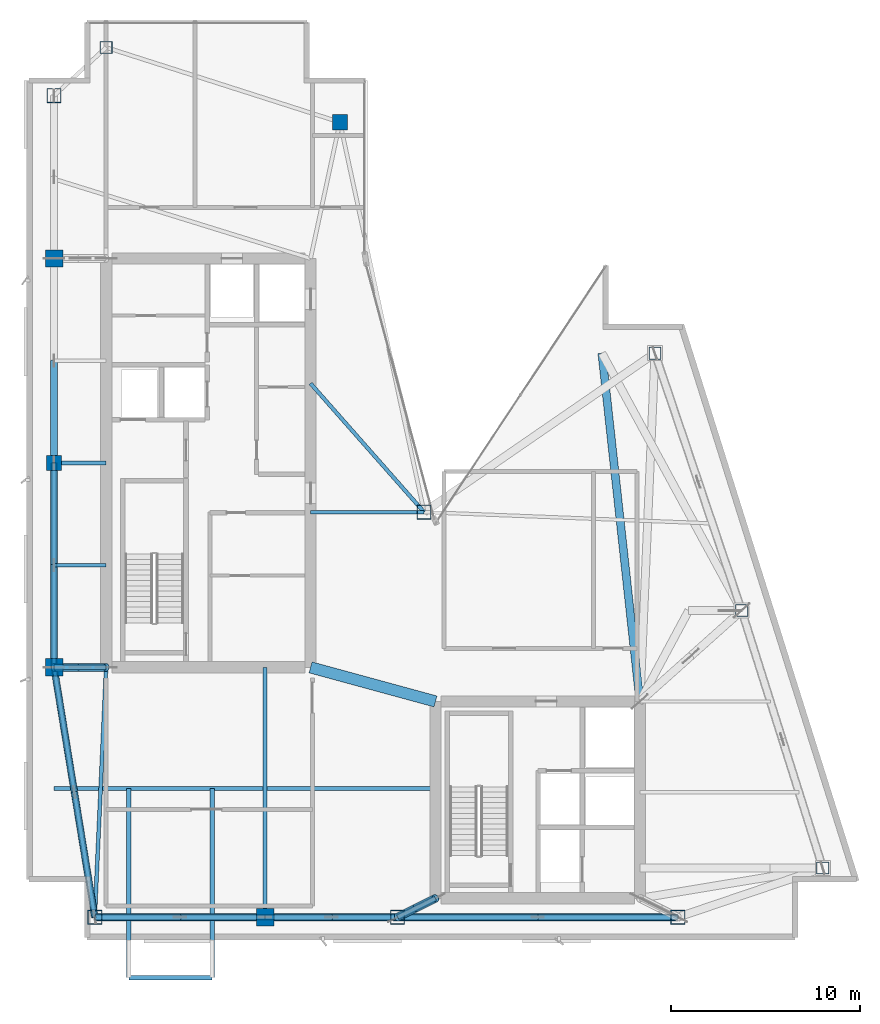
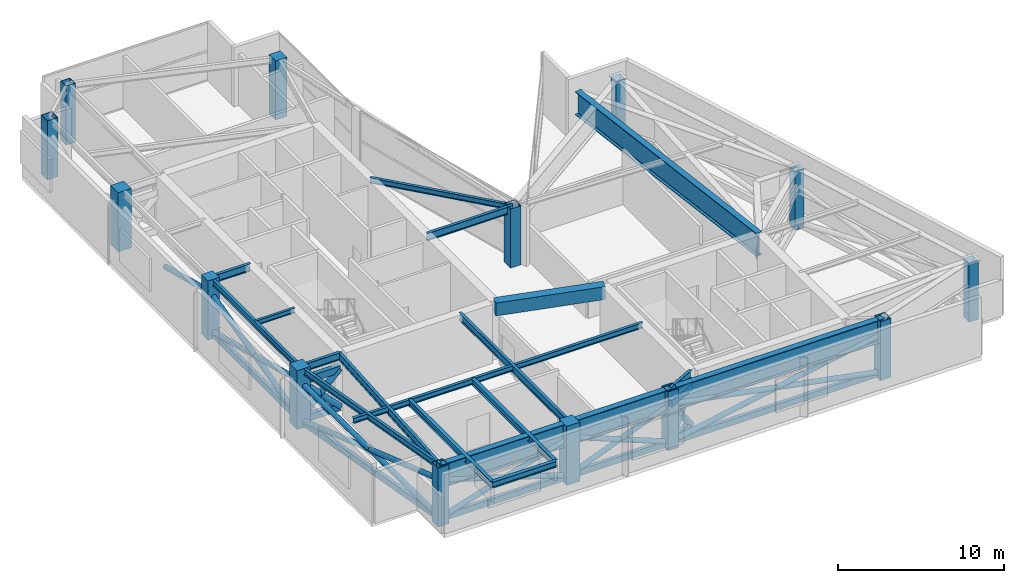
# One storey, part 1 of 15: 31 members, 19 beams, 14 columns.
"""IFC4 building model written with IfcOpenShell, lengths in metres."""

import ifcopenshell
import ifcopenshell.guid

model = None  # the IFC model being written
_history = None  # IfcOwnerHistory: only IFC2X3 demands one
_inside = {}  # id of a spatial element -> (the spatial element, [elements in it])
_under = {}  # id of a project, library or spatial element -> (it, [spatial elements below it])
_declared = {}  # id of a project -> (the project, [libraries it declares])
_typed = {}  # id of a type object -> (the type object, [elements of that type])
_made_of = {}  # id of a material, layer set ... -> (it, [elements and type objects made of it])


def new_model(schema):
    """Start an empty IFC model of exactly this schema.

    Asked for "IFC4X3", IfcOpenShell would pick the latest addendum, in which some entities
    have other attributes; the version numbers below select the first issue.
    IFC2X3 requires an IfcOwnerHistory on every rooted entity: one is made here for all.
    """
    global model, _history
    if schema == "IFC4X3":
        model = ifcopenshell.file(schema_version=(4, 3, 0, 0))
    else:
        model = ifcopenshell.file(schema=schema)
    _inside.clear()
    _under.clear()
    _declared.clear()
    _typed.clear()
    _made_of.clear()
    _history = None
    if model.schema == "IFC2X3":
        org = make("IfcOrganization", Name="unknown")
        user = make(
            "IfcPersonAndOrganization",
            ThePerson=make("IfcPerson", FamilyName="unknown"),
            TheOrganization=org,
        )
        app = make(
            "IfcApplication",
            ApplicationDeveloper=org,
            Version="unknown",
            ApplicationFullName="unknown",
            ApplicationIdentifier="unknown",
        )
        _history = make(
            "IfcOwnerHistory",
            OwningUser=user,
            OwningApplication=app,
            ChangeAction="ADDED",
            CreationDate=0,
        )
    return model


def make(cls, **values):
    """One entity of the class cls with the attributes given. An attribute that is None is left unset."""
    return model.create_entity(
        cls, **{name: value for name, value in values.items() if value is not None}
    )


def rooted(cls, **values):
    """An entity with a GlobalId (a new one), such as an element, a storey or a relation."""
    return make(cls, GlobalId=ifcopenshell.guid.new(), OwnerHistory=_history, **values)


def si_unit(unit_type, name, prefix=None):
    """IfcSIUnit, for example si_unit("LENGTHUNIT", "METRE", prefix="MILLI")."""
    return make("IfcSIUnit", UnitType=unit_type, Prefix=prefix, Name=name)


def assignment(units):
    """IfcUnitAssignment: the units of a project."""
    return None if units is None else make("IfcUnitAssignment", Units=units)


def point(xyz):
    """IfcCartesianPoint."""
    return None if xyz is None else make("IfcCartesianPoint", Coordinates=xyz)


def direction(xyz):
    """IfcDirection."""
    return None if xyz is None else make("IfcDirection", DirectionRatios=xyz)


def frame(location, z_axis=None, x_axis=None):
    """IfcAxis2Placement3D, a coordinate frame: its origin and axes. An axis left out is left unset."""
    return make(
        "IfcAxis2Placement3D",
        Location=point(location),
        Axis=direction(z_axis),
        RefDirection=direction(x_axis),
    )


def frame_2d(location, x_axis=None):
    """IfcAxis2Placement2D, a coordinate frame in the plane: its origin and x axis."""
    return make(
        "IfcAxis2Placement2D", Location=point(location), RefDirection=direction(x_axis)
    )


def origin():
    """The frame at (0, 0, 0) with its axes left unset."""
    return frame((0.0, 0.0, 0.0))


def origin_2d():
    """The frame at (0, 0) in the plane with its x axis left unset."""
    return frame_2d((0.0, 0.0))


def place(relative_to, where):
    """IfcLocalPlacement: puts the frame where relative to a parent placement (None: the world)."""
    return make(
        "IfcLocalPlacement", PlacementRelTo=relative_to, RelativePlacement=where
    )


def context(
    kind, dimensions, precision=None, world=None, true_north=None, identifier=None
):
    """IfcGeometricRepresentationContext, for example the 3D "Model" context."""
    return make(
        "IfcGeometricRepresentationContext",
        ContextIdentifier=identifier,
        ContextType=kind,
        CoordinateSpaceDimension=dimensions,
        Precision=precision,
        WorldCoordinateSystem=world,
        TrueNorth=true_north,
    )


def subcontext(parent, identifier, kind, view, scale=None):
    """IfcGeometricRepresentationSubContext, for example "Body" below "Model"."""
    return make(
        "IfcGeometricRepresentationSubContext",
        ContextIdentifier=identifier,
        ContextType=kind,
        ParentContext=parent,
        TargetScale=scale,
        TargetView=view,
    )


def project(units=None, contexts=None):
    """IfcProject with its units and contexts."""
    return rooted(
        "IfcProject",
        Name="project",
        RepresentationContexts=contexts,
        UnitsInContext=assignment(units),
    )


def spatial(cls, under=None, at=None, **own):
    """A site, building, storey or space (cls), placed at a placement, below another one or the project."""
    s = rooted(cls, ObjectPlacement=at, **own)
    if under is not None:
        _under.setdefault(under.id(), (under, []))[1].append(s)
    return s


def profile(cls, at=None, kind="AREA", **sizes):
    """A parametric profile (cls). Its sizes go by their IFC names, for example OverallWidth=200.0."""
    return make(cls, ProfileType=kind, Position=at, **sizes)


def rectangle(**sizes):
    """IfcRectangleProfileDef."""
    return profile("IfcRectangleProfileDef", **sizes)


def hollow_rectangle(**sizes):
    """IfcRectangleHollowProfileDef."""
    return profile("IfcRectangleHollowProfileDef", **sizes)


def hollow_circle(**sizes):
    """IfcCircleHollowProfileDef."""
    return profile("IfcCircleHollowProfileDef", **sizes)


def i_section(**sizes):
    """IfcIShapeProfileDef."""
    return profile("IfcIShapeProfileDef", **sizes)


def extrude(swept, where, along, depth):
    """IfcExtrudedAreaSolid: the profile swept, set in the frame where, extruded along a direction by depth."""
    return make(
        "IfcExtrudedAreaSolid",
        SweptArea=swept,
        Position=where,
        ExtrudedDirection=direction(along),
        Depth=depth,
    )


def shape(context_of_items, identifier, shape_type, items):
    """IfcShapeRepresentation: the items that make up one representation, for example the "Body"."""
    return make(
        "IfcShapeRepresentation",
        ContextOfItems=context_of_items,
        RepresentationIdentifier=identifier,
        RepresentationType=shape_type,
        Items=items,
    )


def material(Name=None, Category=None):
    """IfcMaterial."""
    return make("IfcMaterial", Name=Name, Category=Category)


def material_profile(
    of_material, cross_section, Name=None, Category=None, Priority=None
):
    """IfcMaterialProfile: a cross section and its material."""
    return make(
        "IfcMaterialProfile",
        Name=Name,
        Material=of_material,
        Profile=cross_section,
        Priority=Priority,
        Category=Category,
    )


def profile_set(profiles, Name=None, composite=None):
    """IfcMaterialProfileSet."""
    return make(
        "IfcMaterialProfileSet",
        Name=Name,
        MaterialProfiles=profiles,
        CompositeProfile=composite,
    )


def made_of(thing, what):
    """Note that an element or type object is made of a material, layer set ...; save() writes the relation."""
    if what is not None:
        _made_of.setdefault(what.id(), (what, []))[1].append(thing)
    return thing


def type_object(cls, material=None, **own):
    """A type object (cls), such as IfcWallType, which elements share."""
    return made_of(rooted(cls, **own), material)


def element(
    cls,
    number,
    at=None,
    inside=None,
    cuts=None,
    type_object=None,
    material=None,
    context=None,
    identifier="Body",
    shape_type=None,
    held_by="IfcProductDefinitionShape",
    body=None,
    shapes=None,
    **own,
):
    """One element of the class cls, such as IfcWall. Its Tag is "e" and its number.

    at: its placement. inside: the storey or other place that contains it. cuts: it is an
    opening in that element (IfcRelVoidsElement). A single representation is given by context,
    identifier, shape_type and body (its items); several are given by shapes. held_by: the class
    of the entity that holds the representations. save() writes the other relations.
    """
    e = rooted(cls, Tag="e%d" % number, ObjectPlacement=at, **own)
    if body is not None:
        shapes = [shape(context, identifier, shape_type, body)]
    if shapes is not None:
        e.Representation = make(held_by, Representations=shapes)
    if inside is not None:
        _inside.setdefault(inside.id(), (inside, []))[1].append(e)
    if cuts is not None:
        rooted(
            "IfcRelVoidsElement", RelatingBuildingElement=cuts, RelatedOpeningElement=e
        )
    if type_object is not None:
        _typed.setdefault(type_object.id(), (type_object, []))[1].append(e)
    return made_of(e, material)


def aggregate(whole, parts):
    """IfcRelAggregates: a whole, such as a stair, and the parts it consists of."""
    return rooted("IfcRelAggregates", RelatingObject=whole, RelatedObjects=parts)


def save(model, path):
    """Write the relations noted so far, then the file.

    IfcRelAggregates (storeys below a building ...), IfcRelContainedInSpatialStructure (elements
    in a storey), IfcRelDefinesByType, IfcRelAssociatesMaterial and IfcRelDeclares: one each for
    every whole, place, type object, material and project.
    """
    for whole, parts in _under.values():
        aggregate(whole, parts)
    for where, things in _inside.values():
        rooted(
            "IfcRelContainedInSpatialStructure",
            RelatedElements=things,
            RelatingStructure=where,
        )
    for kind, things in _typed.values():
        rooted("IfcRelDefinesByType", RelatedObjects=things, RelatingType=kind)
    for what, things in _made_of.values():
        rooted("IfcRelAssociatesMaterial", RelatedObjects=things, RelatingMaterial=what)
    for by, libraries in _declared.values():
        rooted("IfcRelDeclares", RelatingContext=by, RelatedDefinitions=libraries)
    model.write(path)


model = new_model("IFC4")

# Units and contexts
model_context = context("Model", 3, precision=1e-05, world=origin(), true_north=direction((0.0, 1.0)))
body_context = subcontext(model_context, "Body", "Model", "MODEL_VIEW")
ifc_project = project(units=[si_unit("LENGTHUNIT", "METRE"), si_unit("AREAUNIT", "SQUARE_METRE"), si_unit("VOLUMEUNIT", "CUBIC_METRE"), si_unit("PLANEANGLEUNIT", "RADIAN"), si_unit("MASSUNIT", "GRAM", prefix="KILO")], contexts=[model_context])

# Site, building, storey
site_placement = place(None, origin())
site = spatial("IfcSite", under=ifc_project, at=site_placement, CompositionType="ELEMENT")
building_placement = place(site_placement, origin())
building = spatial("IfcBuilding", under=site, at=building_placement, Name="Calvorn Quay Hotel", CompositionType="ELEMENT")
storey_placement = place(building_placement, frame((0.0, 0.0, 282.5)))
storey = spatial("IfcBuildingStorey", under=building, at=storey_placement, Name="L70", CompositionType="ELEMENT", Elevation=282.5)

# Columns
ifc_material_1 = material(Name="Concrete C45", Category="concrete")
ifc_material_profile_1 = material_profile(ifc_material_1, rectangle(XDim=0.800048828125, YDim=0.800048828125, at=origin_2d()), Name="RC800x800")
ifc_profile_set_1 = profile_set([ifc_material_profile_1], Name="Concrete C45")
column_type_1 = type_object("IfcColumnType", Name="COL-RC-800", PredefinedType="COLUMN", material=ifc_profile_set_1)
for number, where, z_axis, x_axis, name in (
    (1, (1.449951171875, 27.60009765625, 0.0), (0.0, 0.0, 1.0), (1.0, 0.0, 0.0), "Column C-W3 (L70)"),
    (2, (16.550048828125, 45.60009765625, 0.0), (0.0, 0.0, 1.0), (1.0, 0.0, 0.0), "Column C-IC1 (L70)"),
):
    element("IfcColumn", number, at=place(storey_placement, frame(where, z_axis=z_axis, x_axis=x_axis)), inside=storey, type_object=column_type_1, Name=name, PredefinedType="COLUMN", context=body_context, shape_type="SweptSolid", body=[
        extrude(rectangle(XDim=0.800048828125, YDim=0.800048828125, at=origin_2d()), origin(), (0.0, 0.0, 1.0), 4.35009765625),
    ])
ifc_material_2 = material(Name="Concrete C45", Category="concrete")
ifc_material_profile_2 = material_profile(ifc_material_2, rectangle(XDim=0.919921875, YDim=0.919921875, at=origin_2d()), Name="RC920x920")
ifc_profile_set_2 = profile_set([ifc_material_profile_2], Name="Concrete C45")
column_type_2 = type_object("IfcColumnType", Name="COL-RC-920", PredefinedType="COLUMN", material=ifc_profile_set_2)
for number, where, z_axis, x_axis, name in (
    (3, (1.449951171875, 16.800048828125, 0.0), (0.0, 0.0, 1.0), (1.0, 0.0, 0.0), "Column C-W2 (L70)"),
    (4, (1.449951171875, 38.39990234375, 0.0), (0.0, 0.0, 1.0), (1.0, 0.0, 0.0), "Column C-W4 (L70)"),
    (5, (12.60009765625, 3.60009765625, 0.0), (0.0, 0.0, 1.0), (1.0, 0.0, 0.0), "Column C-S1 (L70)"),
):
    element("IfcColumn", number, at=place(storey_placement, frame(where, z_axis=z_axis, x_axis=x_axis)), inside=storey, type_object=column_type_2, Name=name, PredefinedType="COLUMN", context=body_context, shape_type="SweptSolid", body=[
        extrude(rectangle(XDim=0.919921875, YDim=0.919921875, at=origin_2d()), origin(), (0.0, 0.0, 1.0), 4.35009765625),
    ])
ifc_material_3 = material(Name="Steel Q390GJC", Category="steel")
ifc_material_profile_3 = material_profile(ifc_material_3, hollow_rectangle(XDim=0.75, YDim=0.75, WallThickness=0.031982421875, at=origin_2d()), Name="BOX750x750x32")
ifc_profile_set_3 = profile_set([ifc_material_profile_3], Name="Steel Q390GJC")
column_type_3 = type_object("IfcColumnType", Name="COL-STL-Z3", PredefinedType="COLUMN", material=ifc_profile_set_3)
for number, where, z_axis, x_axis, name in (
    (6, (3.60009765625, 3.60009765625, 0.0), (0.0, 0.0, 1.0), (1.0, 0.0, 0.0), "Column C-W1 (L70)"),
    (7, (1.449951171875, 47.0, 0.0), (0.0, 0.0, 1.0), (1.0, 0.0, 0.0), "Column C-W5 (L70)"),
    (8, (21.0, 25.0, 0.0), (0.0, 0.0, 1.0), (1.0, 0.0, 0.0), "Column C-IC2 (L70)"),
    (9, (19.60009765625, 3.60009765625, 0.0), (0.0, 0.0, 1.0), (1.0, 0.0, 0.0), "Column C-S2 (L70)"),
    (10, (34.39990234375, 3.60009765625, 0.0), (0.0, 0.0, 1.0), (1.0, 0.0, 0.0), "Column C-S3 (L70)"),
):
    element("IfcColumn", number, at=place(storey_placement, frame(where, z_axis=z_axis, x_axis=x_axis)), inside=storey, type_object=column_type_3, Name=name, PredefinedType="COLUMN", context=body_context, shape_type="SweptSolid", body=[
        extrude(hollow_rectangle(XDim=0.75, YDim=0.75, WallThickness=0.031982421875, at=origin_2d()), origin(), (0.0, 0.0, 1.0), 4.35009765625),
    ])
ifc_material_4 = material(Name="Steel Q355B", Category="steel")
ifc_material_profile_4 = material_profile(ifc_material_4, hollow_rectangle(XDim=0.64990234375, YDim=0.64990234375, WallThickness=0.028076171875, at=origin_2d()), Name="BOX650x650x28")
ifc_profile_set_4 = profile_set([ifc_material_profile_4], Name="Steel Q355B")
column_type_4 = type_object("IfcColumnType", Name="COL-STL-Z4", PredefinedType="COLUMN", material=ifc_profile_set_4)
for number, where, z_axis, x_axis, name in (
    (11, (4.199951171875, 49.550048828125, 0.0), (0.0, 0.0, 1.0), (1.0, 0.0, 0.0), "Column C-NW1 (L70)"),
    (12, (42.06103515625, 6.199951171875, 0.0), (0.0, 0.0, 1.0), (1.0, 0.0, 0.0), "Column C-ET1 (L70)"),
    (13, (37.77587890625, 19.800048828125, 0.0), (0.0, 0.0, 1.0), (1.0, 0.0, 0.0), "Column C-ET2 (L70)"),
    (14, (33.19091796875, 33.39990234375, 0.0), (0.0, 0.0, 1.0), (1.0, 0.0, 0.0), "Column C-ET3 (L70)"),
):
    element("IfcColumn", number, at=place(storey_placement, frame(where, z_axis=z_axis, x_axis=x_axis)), inside=storey, type_object=column_type_4, Name=name, PredefinedType="COLUMN", context=body_context, shape_type="SweptSolid", body=[
        extrude(hollow_rectangle(XDim=0.64990234375, YDim=0.64990234375, WallThickness=0.028076171875, at=origin_2d()), origin(), (0.0, 0.0, 1.0), 4.35009765625),
    ])

# Beams
ifc_material_5 = material(Name="Steel Q355B", Category="steel")
ifc_material_profile_5 = material_profile(ifc_material_5, i_section(OverallWidth=0.25, OverallDepth=0.449951171875, WebThickness=0.011962890625, FlangeThickness=0.01611328125, FilletRadius=0.01611328125, at=origin_2d()), Name="HN450x250x12x16")
ifc_profile_set_5 = profile_set([ifc_material_profile_5], Name="Steel Q355B")
beam_type_1 = type_object("IfcBeamType", Name="BM-CANT-BALC", PredefinedType="BEAM", material=ifc_profile_set_5)
for number, where, z_axis, x_axis, name in (
    (15, (5.39990234375, 10.39990234375, 4.125), (0.0, -1.0, 0.0), (1.0, 0.0, 0.0), "Cantilever Balcony Beam BCB-L71-1A"),
    (16, (9.800048828125, 10.39990234375, 4.125), (0.0, -1.0, 0.0), (1.0, 0.0, 0.0), "Cantilever Balcony Beam BCB-L71-1B"),
):
    element("IfcBeam", number, at=place(storey_placement, frame(where, z_axis=z_axis, x_axis=x_axis)), inside=storey, type_object=beam_type_1, Name=name, PredefinedType="BEAM", context=body_context, shape_type="SweptSolid", body=[
        extrude(i_section(OverallWidth=0.25, OverallDepth=0.449951171875, WebThickness=0.011962890625, FlangeThickness=0.01611328125, FilletRadius=0.01611328125, at=origin_2d()), origin(), (0.0, 0.0, 1.0), 9.989990234375),
    ])
beam_1_placement = place(storey_placement, frame((5.39990234375, 0.409912109375, 4.125), z_axis=(1.0, 0.0, 0.0), x_axis=(0.0, 1.0, 0.0)))
element("IfcBeam", 17, at=beam_1_placement, inside=storey, type_object=beam_type_1, Name="Beam BCBO-L71-1", PredefinedType="BEAM", context=body_context, shape_type="SweptSolid", body=[
    extrude(i_section(OverallWidth=0.25, OverallDepth=0.449951171875, WebThickness=0.011962890625, FlangeThickness=0.01611328125, FilletRadius=0.01611328125, at=origin_2d()), origin(), (0.0, 0.0, 1.0), 4.400146484375),
])
ifc_material_6 = material(Name="Steel Q355B", Category="steel")
ifc_material_profile_6 = material_profile(ifc_material_6, i_section(OverallWidth=0.199951171875, OverallDepth=0.550048828125, WebThickness=0.010009765625, FlangeThickness=0.01611328125, FilletRadius=0.01806640625, at=origin_2d()), Name="HN550x200x10x16")
ifc_profile_set_6 = profile_set([ifc_material_profile_6], Name="Steel Q355B")
beam_type_2 = type_object("IfcBeamType", Name="BM-GIRD-UPP", PredefinedType="BEAM", material=ifc_profile_set_6)
beam_2_placement = place(storey_placement, frame((3.60009765625, 3.60009765625, 4.074951171875), z_axis=(0.045396765494, 0.998969035397, 0.0), x_axis=(-0.998969035397, 0.045396765494, 0.0)))
element("IfcBeam", 18, at=beam_2_placement, inside=storey, type_object=beam_type_2, Name="Beam BG-L70-W0", PredefinedType="BEAM", context=body_context, shape_type="SweptSolid", body=[
    extrude(i_section(OverallWidth=0.199951171875, OverallDepth=0.550048828125, WebThickness=0.010009765625, FlangeThickness=0.01611328125, FilletRadius=0.01806640625, at=origin_2d()), origin(), (0.0, 0.0, 1.0), 13.213623046875),
])
for number, where, z_axis, x_axis, name in (
    (19, (1.449951171875, 16.800048828125, 4.074951171875), (1.0, 0.0, 0.0), (0.0, 1.0, 0.0), "Beam BG-L70-W1"),
    (20, (1.449951171875, 27.60009765625, 4.074951171875), (1.0, 0.0, 0.0), (0.0, 1.0, 0.0), "Beam BG-L70-W2"),
):
    element("IfcBeam", number, at=place(storey_placement, frame(where, z_axis=z_axis, x_axis=x_axis)), inside=storey, type_object=beam_type_2, Name=name, PredefinedType="BEAM", context=body_context, shape_type="SweptSolid", body=[
        extrude(i_section(OverallWidth=0.199951171875, OverallDepth=0.550048828125, WebThickness=0.010009765625, FlangeThickness=0.01611328125, FilletRadius=0.01806640625, at=origin_2d()), origin(), (0.0, 0.0, 1.0), 2.75),
    ])
beam_3_placement = place(storey_placement, frame((21.0, 25.0, 4.074951171875), z_axis=(-1.0, 0.0, 0.0), x_axis=(0.0, -1.0, 0.0)))
element("IfcBeam", 21, at=beam_3_placement, inside=storey, type_object=beam_type_2, Name="Beam BG-L70-W7", PredefinedType="BEAM", context=body_context, shape_type="SweptSolid", body=[
    extrude(i_section(OverallWidth=0.199951171875, OverallDepth=0.550048828125, WebThickness=0.010009765625, FlangeThickness=0.01611328125, FilletRadius=0.01806640625, at=origin_2d()), origin(), (0.0, 0.0, 1.0), 6.0),
])
beam_4_placement = place(storey_placement, frame((12.60009765625, 3.60009765625, 4.074951171875), z_axis=(0.0, 1.0, 0.0), x_axis=(-1.0, 0.0, 0.0)))
element("IfcBeam", 22, at=beam_4_placement, inside=storey, type_object=beam_type_2, Name="Beam BG-L70-S1", PredefinedType="BEAM", context=body_context, shape_type="SweptSolid", body=[
    extrude(i_section(OverallWidth=0.199951171875, OverallDepth=0.550048828125, WebThickness=0.010009765625, FlangeThickness=0.01611328125, FilletRadius=0.01806640625, at=origin_2d()), origin(), (0.0, 0.0, 1.0), 13.199951171875),
])
beam_5_placement = place(storey_placement, frame((19.60009765625, 3.60009765625, 4.074951171875), z_axis=(0.894427191, 0.4472135955, 0.0), x_axis=(-0.4472135955, 0.894427191, 0.0)))
element("IfcBeam", 23, at=beam_5_placement, inside=storey, type_object=beam_type_2, Name="Beam BG-L70-S2", PredefinedType="BEAM", context=body_context, shape_type="SweptSolid", body=[
    extrude(i_section(OverallWidth=0.199951171875, OverallDepth=0.550048828125, WebThickness=0.010009765625, FlangeThickness=0.01611328125, FilletRadius=0.01806640625, at=origin_2d()), origin(), (0.0, 0.0, 1.0), 2.236083984375),
])
ifc_material_7 = material(Name="Steel Q355B", Category="steel")
ifc_material_profile_7 = material_profile(ifc_material_7, i_section(OverallWidth=0.175048828125, OverallDepth=0.35009765625, WebThickness=0.007080078125, FlangeThickness=0.010986328125, FilletRadius=0.013916015625, at=origin_2d()), Name="HN350x175x7x11")
ifc_profile_set_7 = profile_set([ifc_material_profile_7], Name="Steel Q355B")
beam_type_3 = type_object("IfcBeamType", Name="BM-JOIST-SEC", PredefinedType="JOIST", material=ifc_profile_set_7)
beam_6_placement = place(storey_placement, frame((1.449951171875, 22.199951171875, 4.175048828125), z_axis=(1.0, 0.0, 0.0), x_axis=(0.0, 1.0, 0.0)))
element("IfcBeam", 24, at=beam_6_placement, inside=storey, type_object=beam_type_3, Name="Beam BJ-L70-W3", PredefinedType="JOIST", context=body_context, shape_type="SweptSolid", body=[
    extrude(i_section(OverallWidth=0.175048828125, OverallDepth=0.35009765625, WebThickness=0.007080078125, FlangeThickness=0.010986328125, FilletRadius=0.013916015625, at=origin_2d()), origin(), (0.0, 0.0, 1.0), 2.75),
])
ifc_material_8 = material(Name="Steel Q355B", Category="steel")
ifc_material_profile_8 = material_profile(ifc_material_8, i_section(OverallWidth=0.199951171875, OverallDepth=0.39990234375, WebThickness=0.008056640625, FlangeThickness=0.012939453125, FilletRadius=0.01611328125, at=origin_2d()), Name="HN400x200x8x13")
ifc_profile_set_8 = profile_set([ifc_material_profile_8], Name="Steel Q355B")
beam_type_4 = type_object("IfcBeamType", Name="BM-JOIST-TYP", PredefinedType="JOIST", material=ifc_profile_set_8)
beam_7_placement = place(storey_placement, frame((1.449951171875, 10.39990234375, 4.14990234375), z_axis=(1.0, 0.0, 0.0), x_axis=(0.0, 1.0, 0.0)))
element("IfcBeam", 25, at=beam_7_placement, inside=storey, type_object=beam_type_4, Name="Beam BJ-L70-W1", PredefinedType="JOIST", context=body_context, shape_type="SweptSolid", body=[
    extrude(i_section(OverallWidth=0.199951171875, OverallDepth=0.39990234375, WebThickness=0.008056640625, FlangeThickness=0.012939453125, FilletRadius=0.01611328125, at=origin_2d()), origin(), (0.0, 0.0, 1.0), 20.150146484375),
])
beam_8_placement = place(storey_placement, frame((15.0, 31.800048828125, 4.14990234375), z_axis=(0.661618965899, -0.749840212287, 0.0), x_axis=(0.749840212287, 0.661618965899, 0.0)))
element("IfcBeam", 26, at=beam_8_placement, inside=storey, type_object=beam_type_4, Name="Beam BJ-L70-C1", PredefinedType="JOIST", context=body_context, shape_type="SweptSolid", body=[
    extrude(i_section(OverallWidth=0.199951171875, OverallDepth=0.39990234375, WebThickness=0.008056640625, FlangeThickness=0.012939453125, FilletRadius=0.01611328125, at=origin_2d()), origin(), (0.0, 0.0, 1.0), 9.068603515625),
])
ifc_material_9 = material(Name="Concrete C45", Category="concrete")
ifc_material_profile_9 = material_profile(ifc_material_9, rectangle(XDim=0.60009765625, YDim=0.949951171875, at=origin_2d()), Name="RCB600x950")
ifc_profile_set_9 = profile_set([ifc_material_profile_9], Name="Concrete C45")
beam_type_5 = type_object("IfcBeamType", Name="BM-RC-LINK-600x950", PredefinedType="BEAM", material=ifc_profile_set_9)
beam_9_placement = place(storey_placement, frame((15.0, 16.800048828125, 3.875), z_axis=(0.964762997686, -0.263120425462, 0.0), x_axis=(0.263120425462, 0.964762997686, 0.0)))
element("IfcBeam", 27, at=beam_9_placement, inside=storey, type_object=beam_type_5, Name="Beam BCL-L70-01", PredefinedType="BEAM", context=body_context, shape_type="SweptSolid", body=[
    extrude(rectangle(XDim=0.60009765625, YDim=0.949951171875, at=origin_2d()), origin(), (0.0, 0.0, 1.0), 6.841064453125),
])
ifc_material_10 = material(Name="Steel Q355B", Category="steel")
ifc_material_profile_10 = material_profile(ifc_material_10, i_section(OverallWidth=0.199951171875, OverallDepth=0.449951171875, WebThickness=0.009033203125, FlangeThickness=0.013916015625, FilletRadius=0.01611328125, at=origin_2d()), Name="HN450x200x9x14")
ifc_profile_set_10 = profile_set([ifc_material_profile_10], Name="Steel Q355B")
beam_type_6 = type_object("IfcBeamType", Name="BM-SPANDREL-Z3", PredefinedType="SPANDREL", material=ifc_profile_set_10)
beam_10_placement = place(storey_placement, frame((3.60009765625, 3.60009765625, 4.125), z_axis=(-0.16077155054, 0.986991645627, 0.0), x_axis=(-0.986991645627, -0.16077155054, 0.0)))
element("IfcBeam", 28, at=beam_10_placement, inside=storey, type_object=beam_type_6, Name="Beam BSP-L70-W1", PredefinedType="SPANDREL", context=body_context, shape_type="SweptSolid", body=[
    extrude(i_section(OverallWidth=0.199951171875, OverallDepth=0.449951171875, WebThickness=0.009033203125, FlangeThickness=0.013916015625, FilletRadius=0.01611328125, at=origin_2d()), origin(), (0.0, 0.0, 1.0), 13.3740234375),
])
beam_11_placement = place(storey_placement, frame((1.449951171875, 16.800048828125, 4.125), z_axis=(0.0, 1.0, 0.0), x_axis=(-1.0, 0.0, 0.0)))
element("IfcBeam", 29, at=beam_11_placement, inside=storey, type_object=beam_type_6, Name="Beam BSP-L70-W2", PredefinedType="SPANDREL", context=body_context, shape_type="SweptSolid", body=[
    extrude(i_section(OverallWidth=0.199951171875, OverallDepth=0.449951171875, WebThickness=0.009033203125, FlangeThickness=0.013916015625, FilletRadius=0.01611328125, at=origin_2d()), origin(), (0.0, 0.0, 1.0), 10.800048828125),
])
ifc_material_11 = material(Name="Steel Q420GJC", Category="steel")
ifc_material_profile_11 = material_profile(ifc_material_11, i_section(OverallWidth=0.419921875, OverallDepth=1.699951171875, WebThickness=0.02392578125, FlangeThickness=0.0419921875, FilletRadius=0.02392578125, at=origin_2d()), Name="HN1700x420x24x42")
ifc_profile_set_11 = profile_set([ifc_material_profile_11], Name="Steel Q420GJC")
beam_type_7 = type_object("IfcBeamType", Name="BM-XFER-SAWTOOTH", PredefinedType="BEAM", material=ifc_profile_set_11)
beam_12_placement = place(storey_placement, frame((32.39990234375, 15.0, 3.5), z_axis=(-0.108529038315, 0.994093279246, 0.0), x_axis=(-0.994093279246, -0.108529038315, 0.0)))
element("IfcBeam", 30, at=beam_12_placement, inside=storey, type_object=beam_type_7, Name="Beam BTG-L70-C-ET3A", PredefinedType="BEAM", context=body_context, shape_type="SweptSolid", body=[
    extrude(i_section(OverallWidth=0.419921875, OverallDepth=1.699951171875, WebThickness=0.02392578125, FlangeThickness=0.0419921875, FilletRadius=0.02392578125, at=origin_2d()), origin(), (0.0, 0.0, 1.0), 18.50927734375),
])
beam_13_placement = place(storey_placement, frame((3.60009765625, 3.60009765625, 3.5), z_axis=(1.0, 0.0, 0.0), x_axis=(0.0, 1.0, 0.0)))
element("IfcBeam", 31, at=beam_13_placement, inside=storey, type_object=beam_type_7, Name="Beam BSP-L70-S1", PredefinedType="BEAM", context=body_context, shape_type="SweptSolid", body=[
    extrude(i_section(OverallWidth=0.419921875, OverallDepth=1.699951171875, WebThickness=0.02392578125, FlangeThickness=0.0419921875, FilletRadius=0.02392578125, at=origin_2d()), origin(), (0.0, 0.0, 1.0), 9.0),
])
beam_14_placement = place(storey_placement, frame((12.60009765625, 3.60009765625, 3.5), z_axis=(1.0, 0.0, 0.0), x_axis=(0.0, 1.0, 0.0)))
element("IfcBeam", 32, at=beam_14_placement, inside=storey, type_object=beam_type_7, Name="Beam BSP-L70-S2", PredefinedType="BEAM", context=body_context, shape_type="SweptSolid", body=[
    extrude(i_section(OverallWidth=0.419921875, OverallDepth=1.699951171875, WebThickness=0.02392578125, FlangeThickness=0.0419921875, FilletRadius=0.02392578125, at=origin_2d()), origin(), (0.0, 0.0, 1.0), 7.0),
])
beam_15_placement = place(storey_placement, frame((19.60009765625, 3.60009765625, 3.5), z_axis=(1.0, 0.0, 0.0), x_axis=(0.0, 1.0, 0.0)))
element("IfcBeam", 33, at=beam_15_placement, inside=storey, type_object=beam_type_7, Name="Beam BSP-L70-S3", PredefinedType="BEAM", context=body_context, shape_type="SweptSolid", body=[
    extrude(i_section(OverallWidth=0.419921875, OverallDepth=1.699951171875, WebThickness=0.02392578125, FlangeThickness=0.0419921875, FilletRadius=0.02392578125, at=origin_2d()), origin(), (0.0, 0.0, 1.0), 14.7998046875),
])

# Members
ifc_material_12 = material(Name="Steel Q390GJC", Category="steel")
ifc_material_profile_12 = material_profile(ifc_material_12, hollow_rectangle(XDim=0.25, YDim=0.449951171875, WallThickness=0.01611328125, at=origin_2d()), Name="RHS450x250x16")
ifc_profile_set_12 = profile_set([ifc_material_profile_12], Name="Steel Q390GJC")
member_type_1 = type_object("IfcMemberType", Name="MEM-BELT-CHORD", PredefinedType="CHORD", material=ifc_profile_set_12)
member_1_placement = place(storey_placement, frame((3.60009765625, 3.60009765625, 0.35009765625), z_axis=(-0.16077155054, 0.986991645627, 0.0), x_axis=(-0.986991645627, -0.16077155054, 0.0)))
element("IfcMember", 34, at=member_1_placement, inside=storey, type_object=member_type_1, Name="Belt Truss Chord L70-BW1", PredefinedType="CHORD", context=body_context, shape_type="SweptSolid", body=[
    extrude(hollow_rectangle(XDim=0.25, YDim=0.449951171875, WallThickness=0.01611328125, at=origin_2d()), origin(), (0.0, 0.0, 1.0), 13.3740234375),
])
member_2_placement = place(storey_placement, frame((1.449951171875, 16.800048828125, 0.35009765625), z_axis=(0.0, 1.0, 0.0), x_axis=(-1.0, 0.0, 0.0)))
element("IfcMember", 35, at=member_2_placement, inside=storey, type_object=member_type_1, Name="Belt Truss Chord L70-BW2", PredefinedType="CHORD", context=body_context, shape_type="SweptSolid", body=[
    extrude(hollow_rectangle(XDim=0.25, YDim=0.449951171875, WallThickness=0.01611328125, at=origin_2d()), origin(), (0.0, 0.0, 1.0), 10.800048828125),
])
member_3_placement = place(storey_placement, frame((3.60009765625, 3.60009765625, 0.35009765625), z_axis=(1.0, 0.0, 0.0), x_axis=(0.0, 1.0, 0.0)))
element("IfcMember", 36, at=member_3_placement, inside=storey, type_object=member_type_1, Name="Belt Truss Chord L70-BS1", PredefinedType="CHORD", context=body_context, shape_type="SweptSolid", body=[
    extrude(hollow_rectangle(XDim=0.25, YDim=0.449951171875, WallThickness=0.01611328125, at=origin_2d()), origin(), (0.0, 0.0, 1.0), 9.0),
])
member_4_placement = place(storey_placement, frame((12.60009765625, 3.60009765625, 0.35009765625), z_axis=(1.0, 0.0, 0.0), x_axis=(0.0, 1.0, 0.0)))
element("IfcMember", 37, at=member_4_placement, inside=storey, type_object=member_type_1, Name="Belt Truss Chord L70-BS2", PredefinedType="CHORD", context=body_context, shape_type="SweptSolid", body=[
    extrude(hollow_rectangle(XDim=0.25, YDim=0.449951171875, WallThickness=0.01611328125, at=origin_2d()), origin(), (0.0, 0.0, 1.0), 7.0),
])
member_5_placement = place(storey_placement, frame((19.60009765625, 3.60009765625, 0.35009765625), z_axis=(1.0, 0.0, 0.0), x_axis=(0.0, 1.0, 0.0)))
element("IfcMember", 38, at=member_5_placement, inside=storey, type_object=member_type_1, Name="Belt Truss Chord L70-BS3", PredefinedType="CHORD", context=body_context, shape_type="SweptSolid", body=[
    extrude(hollow_rectangle(XDim=0.25, YDim=0.449951171875, WallThickness=0.01611328125, at=origin_2d()), origin(), (0.0, 0.0, 1.0), 14.7998046875),
])
ifc_material_13 = material(Name="Steel Q390GJC", Category="steel")
ifc_material_profile_13 = material_profile(ifc_material_13, hollow_circle(Radius=0.177978515625, WallThickness=0.013916015625, at=origin_2d()), Name="CHS356x14")
ifc_profile_set_13 = profile_set([ifc_material_profile_13], Name="Steel Q390GJC")
member_type_2 = type_object("IfcMemberType", Name="MEM-BELT-DIAG", PredefinedType="BRACE", material=ifc_profile_set_13)
member_6_placement = place(storey_placement, frame((3.60009765625, 3.60009765625, 0.35009765625), z_axis=(-0.157360244038, 0.966049314684, 0.204906015514), x_axis=(-0.986991645627, -0.16077155054, 0.0)))
element("IfcMember", 39, at=member_6_placement, inside=storey, type_object=member_type_2, Name="Belt Truss Continuous Brace L70-BW1A", PredefinedType="BRACE", context=body_context, shape_type="SweptSolid", body=[
    extrude(hollow_circle(Radius=0.177978515625, WallThickness=0.013916015625, at=origin_2d()), origin(), (0.0, 0.0, 1.0), 13.663818359375),
])
member_7_placement = place(storey_placement, frame((3.60009765625, 3.60009765625, 3.14990234375), z_axis=(-0.157380385683, 0.966045405581, -0.204908976274), x_axis=(-0.986988276812, -0.160792230647, 0.0)))
element("IfcMember", 40, at=member_7_placement, inside=storey, type_object=member_type_2, Name="Belt Truss Split Brace B1 L70-BW1", PredefinedType="BRACE", context=body_context, shape_type="SweptSolid", body=[
    extrude(hollow_circle(Radius=0.177978515625, WallThickness=0.013916015625, at=origin_2d()), origin(), (0.0, 0.0, 1.0), 6.831787109375),
])
member_8_placement = place(storey_placement, frame((2.52490234375, 10.199951171875, 1.75), z_axis=(-0.157340102908, 0.96605322326, -0.204903054752), x_axis=(-0.986995013907, -0.160750870986, 0.0)))
element("IfcMember", 41, at=member_8_placement, inside=storey, type_object=member_type_2, Name="Belt Truss Split Brace B2 L70-BW1", PredefinedType="BRACE", context=body_context, shape_type="SweptSolid", body=[
    extrude(hollow_circle(Radius=0.177978515625, WallThickness=0.013916015625, at=origin_2d()), origin(), (0.0, 0.0, 1.0), 6.83203125),
])
member_9_placement = place(storey_placement, frame((1.449951171875, 16.800048828125, 0.35009765625), z_axis=(0.0, 0.968001426323, 0.250944692386), x_axis=(-1.0, 0.0, 0.0)))
element("IfcMember", 42, at=member_9_placement, inside=storey, type_object=member_type_2, Name="Belt Truss Continuous Brace L70-BW2A", PredefinedType="BRACE", context=body_context, shape_type="SweptSolid", body=[
    extrude(hollow_circle(Radius=0.177978515625, WallThickness=0.013916015625, at=origin_2d()), origin(), (0.0, 0.0, 1.0), 11.156982421875),
])
member_10_placement = place(storey_placement, frame((1.449951171875, 16.800048828125, 3.14990234375), z_axis=(0.0, 0.968000048288, -0.250950007997), x_axis=(-1.0, 0.0, 0.0)))
element("IfcMember", 43, at=member_10_placement, inside=storey, type_object=member_type_2, Name="Belt Truss Split Brace B1 L70-BW2", PredefinedType="BRACE", context=body_context, shape_type="SweptSolid", body=[
    extrude(hollow_circle(Radius=0.177978515625, WallThickness=0.013916015625, at=origin_2d()), origin(), (0.0, 0.0, 1.0), 5.578369140625),
])
member_11_placement = place(storey_placement, frame((1.449951171875, 22.199951171875, 1.75), z_axis=(0.0, 0.96800280427, -0.250939376992), x_axis=(-1.0, 0.0, 0.0)))
element("IfcMember", 44, at=member_11_placement, inside=storey, type_object=member_type_2, Name="Belt Truss Split Brace B2 L70-BW2", PredefinedType="BRACE", context=body_context, shape_type="SweptSolid", body=[
    extrude(hollow_circle(Radius=0.177978515625, WallThickness=0.013916015625, at=origin_2d()), origin(), (0.0, 0.0, 1.0), 5.57861328125),
])
member_12_placement = place(storey_placement, frame((1.449951171875, 27.60009765625, 3.14990234375), z_axis=(0.0, 0.968000048288, -0.250950007997), x_axis=(-1.0, 0.0, 0.0)))
element("IfcMember", 45, at=member_12_placement, inside=storey, type_object=member_type_2, Name="Belt Truss Split Brace B1 L70-BW3", PredefinedType="BRACE", context=body_context, shape_type="SweptSolid", body=[
    extrude(hollow_circle(Radius=0.177978515625, WallThickness=0.013916015625, at=origin_2d()), origin(), (0.0, 0.0, 1.0), 5.578369140625),
])
member_13_placement = place(storey_placement, frame((3.60009765625, 3.60009765625, 0.35009765625), z_axis=(0.95486265402, 0.0, 0.297047659405), x_axis=(0.0, 1.0, 0.0)))
element("IfcMember", 46, at=member_13_placement, inside=storey, type_object=member_type_2, Name="Belt Truss Continuous Brace L70-BS1A", PredefinedType="BRACE", context=body_context, shape_type="SweptSolid", body=[
    extrude(hollow_circle(Radius=0.177978515625, WallThickness=0.013916015625, at=origin_2d()), origin(), (0.0, 0.0, 1.0), 9.425537109375),
])
for number, where, z_axis, x_axis, name in (
    (47, (3.60009765625, 3.60009765625, 3.14990234375), (0.95486265402, 0.0, -0.297047659405), (0.0, 1.0, 0.0), "Belt Truss Split Brace B1 L70-BS1"),
    (48, (8.10009765625, 3.60009765625, 1.75), (0.95486265402, 0.0, -0.297047659405), (0.0, 1.0, 0.0), "Belt Truss Split Brace B2 L70-BS1"),
):
    element("IfcMember", number, at=place(storey_placement, frame(where, z_axis=z_axis, x_axis=x_axis)), inside=storey, type_object=member_type_2, Name=name, PredefinedType="BRACE", context=body_context, shape_type="SweptSolid", body=[
        extrude(hollow_circle(Radius=0.177978515625, WallThickness=0.013916015625, at=origin_2d()), origin(), (0.0, 0.0, 1.0), 4.712646484375),
    ])
member_14_placement = place(storey_placement, frame((12.60009765625, 3.60009765625, 0.35009765625), z_axis=(0.92848562386, 0.0, 0.371368343137), x_axis=(0.0, 1.0, 0.0)))
element("IfcMember", 49, at=member_14_placement, inside=storey, type_object=member_type_2, Name="Belt Truss Continuous Brace L70-BS2A", PredefinedType="BRACE", context=body_context, shape_type="SweptSolid", body=[
    extrude(hollow_circle(Radius=0.177978515625, WallThickness=0.013916015625, at=origin_2d()), origin(), (0.0, 0.0, 1.0), 7.5390625),
])
for number, where, z_axis, x_axis, name in (
    (50, (12.60009765625, 3.60009765625, 3.14990234375), (0.92848562386, 0.0, -0.371368343137), (0.0, 1.0, 0.0), "Belt Truss Split Brace B1 L70-BS2"),
    (51, (16.10009765625, 3.60009765625, 1.75), (0.92848562386, 0.0, -0.371368343137), (0.0, 1.0, 0.0), "Belt Truss Split Brace B2 L70-BS2"),
):
    element("IfcMember", number, at=place(storey_placement, frame(where, z_axis=z_axis, x_axis=x_axis)), inside=storey, type_object=member_type_2, Name=name, PredefinedType="BRACE", context=body_context, shape_type="SweptSolid", body=[
        extrude(hollow_circle(Radius=0.177978515625, WallThickness=0.013916015625, at=origin_2d()), origin(), (0.0, 0.0, 1.0), 3.76953125),
    ])
member_15_placement = place(storey_placement, frame((19.60009765625, 3.60009765625, 0.35009765625), z_axis=(0.982572166, 0.0, 0.185881517646), x_axis=(0.0, 1.0, 0.0)))
element("IfcMember", 52, at=member_15_placement, inside=storey, type_object=member_type_2, Name="Belt Truss Continuous Brace L70-BS3A", PredefinedType="BRACE", context=body_context, shape_type="SweptSolid", body=[
    extrude(hollow_circle(Radius=0.177978515625, WallThickness=0.013916015625, at=origin_2d()), origin(), (0.0, 0.0, 1.0), 15.062255859375),
])
for number, where, z_axis, x_axis, name in (
    (53, (19.60009765625, 3.60009765625, 3.14990234375), (0.982572166, 0.0, -0.185881517646), (0.0, 1.0, 0.0), "Belt Truss Split Brace B1 L70-BS3"),
    (54, (27.0, 3.60009765625, 1.75), (0.982572166, 0.0, -0.185881517646), (0.0, 1.0, 0.0), "Belt Truss Split Brace B2 L70-BS3"),
):
    element("IfcMember", number, at=place(storey_placement, frame(where, z_axis=z_axis, x_axis=x_axis)), inside=storey, type_object=member_type_2, Name=name, PredefinedType="BRACE", context=body_context, shape_type="SweptSolid", body=[
        extrude(hollow_circle(Radius=0.177978515625, WallThickness=0.013916015625, at=origin_2d()), origin(), (0.0, 0.0, 1.0), 7.53125),
    ])
ifc_material_14 = material(Name="Steel Q390GJC", Category="steel")
ifc_material_profile_14 = material_profile(ifc_material_14, hollow_rectangle(XDim=0.300048828125, YDim=0.5, WallThickness=0.02001953125, at=origin_2d()), Name="RHS500x300x20")
ifc_profile_set_14 = profile_set([ifc_material_profile_14], Name="Steel Q390GJC")
member_type_3 = type_object("IfcMemberType", Name="MEM-OUTRIGGER-CHORD", PredefinedType="CHORD", material=ifc_profile_set_14)
for number, where, z_axis, x_axis, name in (
    (55, (4.199951171875, 16.800048828125, 3.14990234375), (-1.0, 0.0, 0.0), (0.0, -1.0, 0.0), "Outrigger Top Chord L70-OW1"),
    (56, (4.199951171875, 16.800048828125, 0.35009765625), (-1.0, 0.0, 0.0), (0.0, -1.0, 0.0), "Outrigger Bottom Chord L70-OW1"),
):
    element("IfcMember", number, at=place(storey_placement, frame(where, z_axis=z_axis, x_axis=x_axis)), inside=storey, type_object=member_type_3, Name=name, PredefinedType="CHORD", context=body_context, shape_type="SweptSolid", body=[
        extrude(hollow_rectangle(XDim=0.300048828125, YDim=0.5, WallThickness=0.02001953125, at=origin_2d()), origin(), (0.0, 0.0, 1.0), 2.75),
    ])
for number, where, z_axis, x_axis, name in (
    (57, (21.60009765625, 4.60009765625, 3.14990234375), (-0.894427191, -0.4472135955, 0.0), (0.4472135955, -0.894427191, 0.0), "Outrigger Top Chord L70-OE1"),
    (58, (21.60009765625, 4.60009765625, 0.35009765625), (-0.894427191, -0.4472135955, 0.0), (0.4472135955, -0.894427191, 0.0), "Outrigger Bottom Chord L70-OE1"),
):
    element("IfcMember", number, at=place(storey_placement, frame(where, z_axis=z_axis, x_axis=x_axis)), inside=storey, type_object=member_type_3, Name=name, PredefinedType="CHORD", context=body_context, shape_type="SweptSolid", body=[
        extrude(hollow_rectangle(XDim=0.300048828125, YDim=0.5, WallThickness=0.02001953125, at=origin_2d()), origin(), (0.0, 0.0, 1.0), 2.236083984375),
    ])
ifc_material_15 = material(Name="Steel Q390GJC", Category="steel")
ifc_material_profile_15 = material_profile(ifc_material_15, hollow_circle(Radius=0.212890625, WallThickness=0.01611328125, at=origin_2d()), Name="CHS426x16")
ifc_profile_set_15 = profile_set([ifc_material_profile_15], Name="Steel Q390GJC")
member_type_4 = type_object("IfcMemberType", Name="MEM-OUTRIGGER-DIAG2", PredefinedType="BRACE", material=ifc_profile_set_15)
member_16_placement = place(storey_placement, frame((4.199951171875, 16.800048828125, 0.35009765625), z_axis=(-0.7007328944, 0.0, 0.713423724519), x_axis=(0.0, -1.0, 0.0)))
element("IfcMember", 59, at=member_16_placement, inside=storey, type_object=member_type_4, Name="Outrigger Continuous Diagonal L70-OW1", PredefinedType="BRACE", context=body_context, shape_type="SweptSolid", body=[
    extrude(hollow_circle(Radius=0.212890625, WallThickness=0.01611328125, at=origin_2d()), origin(), (0.0, 0.0, 1.0), 3.924560546875),
])
for number, where, z_axis, x_axis, name in (
    (60, (4.199951171875, 16.800048828125, 3.14990234375), (-0.7007328944, 0.0, -0.713423724519), (0.0, -1.0, 0.0), "Outrigger Split Diagonal A L70-OW1"),
    (61, (2.824951171875, 16.800048828125, 1.75), (-0.7007328944, 0.0, -0.713423724519), (0.0, -1.0, 0.0), "Outrigger Split Diagonal B L70-OW1"),
):
    element("IfcMember", number, at=place(storey_placement, frame(where, z_axis=z_axis, x_axis=x_axis)), inside=storey, type_object=member_type_4, Name=name, PredefinedType="BRACE", context=body_context, shape_type="SweptSolid", body=[
        extrude(hollow_circle(Radius=0.212890625, WallThickness=0.01611328125, at=origin_2d()), origin(), (0.0, 0.0, 1.0), 1.962158203125),
    ])
member_17_placement = place(storey_placement, frame((21.60009765625, 4.60009765625, 0.35009765625), z_axis=(-0.558169345139, -0.279084672569, 0.781382574469), x_axis=(0.4472135955, -0.894427191, 0.0)))
element("IfcMember", 62, at=member_17_placement, inside=storey, type_object=member_type_4, Name="Outrigger Continuous Diagonal L70-OE1", PredefinedType="BRACE", context=body_context, shape_type="SweptSolid", body=[
    extrude(hollow_circle(Radius=0.212890625, WallThickness=0.01611328125, at=origin_2d()), origin(), (0.0, 0.0, 1.0), 3.583251953125),
])
for number, where, z_axis, x_axis, name in (
    (63, (21.60009765625, 4.60009765625, 3.14990234375), (-0.558169345139, -0.279084672569, -0.781382574469), (0.4472135955, -0.894427191, 0.0), "Outrigger Split Diagonal A L70-OE1"),
    (64, (20.60009765625, 4.10009765625, 1.75), (-0.558169345139, -0.279084672569, -0.781382574469), (0.4472135955, -0.894427191, 0.0), "Outrigger Split Diagonal B L70-OE1"),
):
    element("IfcMember", number, at=place(storey_placement, frame(where, z_axis=z_axis, x_axis=x_axis)), inside=storey, type_object=member_type_4, Name=name, PredefinedType="BRACE", context=body_context, shape_type="SweptSolid", body=[
        extrude(hollow_circle(Radius=0.212890625, WallThickness=0.01611328125, at=origin_2d()), origin(), (0.0, 0.0, 1.0), 1.79150390625),
    ])

save(model, "model.ifc")
